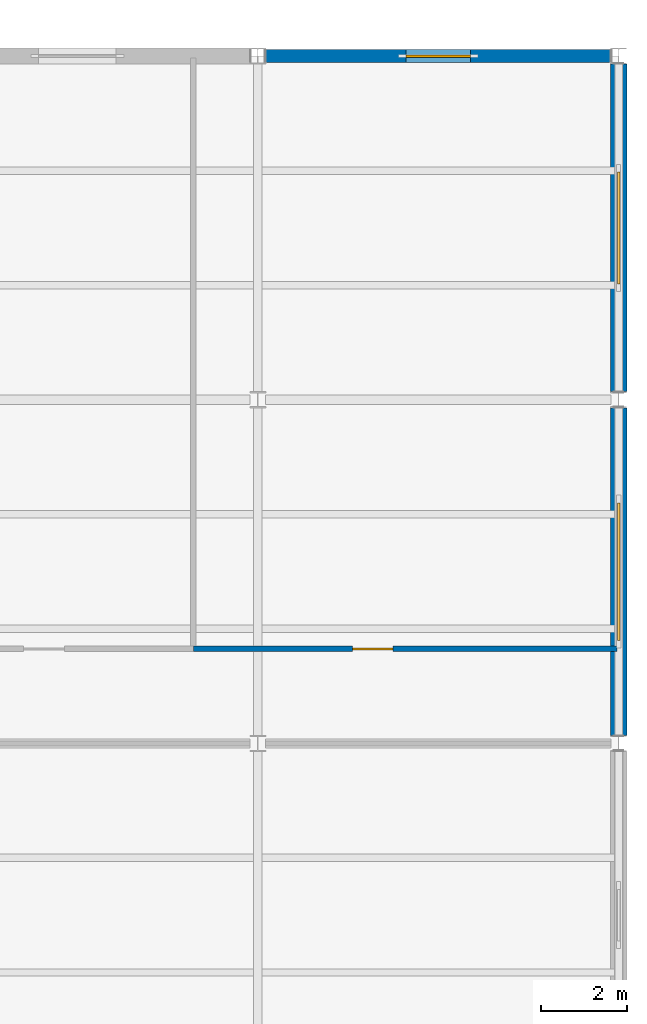
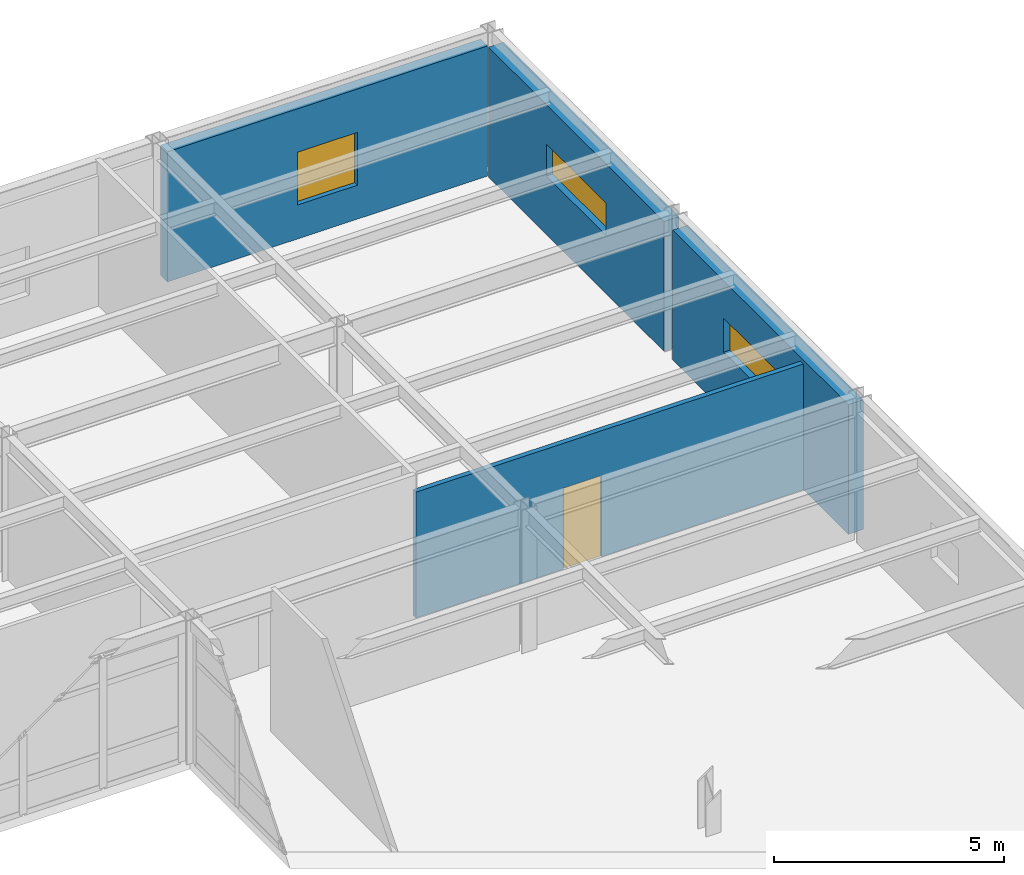
# One storey, part 79 of 138: 4 walls, 3 windows, 1 door, 4 openings.
"""IFC4 building model written with IfcOpenShell, lengths in metres."""

from ifc_helpers import new_model, si_unit, direction, frame, frame_2d, origin, place, context, subcontext, project, spatial, rectangle, extrude, material, layer, layer_set, type_object, element, fill, save


model = new_model("IFC4")

# Units and contexts
model_context = context("Model", 3, precision=1e-05, world=origin(), true_north=direction((0.0, 1.0)))
body_context = subcontext(model_context, "Body", "Model", "MODEL_VIEW")
ifc_project = project(units=[si_unit("LENGTHUNIT", "METRE"), si_unit("AREAUNIT", "SQUARE_METRE"), si_unit("VOLUMEUNIT", "CUBIC_METRE"), si_unit("PLANEANGLEUNIT", "RADIAN"), si_unit("MASSUNIT", "GRAM", prefix="KILO")], contexts=[model_context])

# Site, building, storey
site_placement = place(None, origin())
site = spatial("IfcSite", under=ifc_project, at=site_placement, CompositionType="ELEMENT")
building_placement = place(site_placement, origin())
building = spatial("IfcBuilding", under=site, at=building_placement, Name="Kranzveld Transit Interchange", CompositionType="ELEMENT")
storey_placement = place(building_placement, frame((0.0, 0.0, 5.43994140625)))
storey = spatial("IfcBuildingStorey", under=building, at=storey_placement, Name="L01", CompositionType="ELEMENT", Elevation=5.43994140625)

# Wall, opening, window
ifc_material_1 = material(Name="Pretoria red-purple clinker clay face brick, 35 MPa", Category="masonry")
ifc_layer_1 = layer(ifc_material_1, 0.3798828125)
ifc_layer_set_1 = layer_set([ifc_layer_1], Name="Pretoria red-purple clinker clay face brick, 35 MPa")
wall_type_1 = type_object("IfcWallType", Name="Exterior Cavity Wall Red Clinker 380", PredefinedType="SOLIDWALL", material=ifc_layer_set_1)
wall_1_placement = place(storey_placement, frame((168.0, 96.187255859375, 0.0), z_axis=(0.0, 0.0, 1.0), x_axis=(0.0, 1.0, 0.0)))
wall_1 = element("IfcWall", 1, at=wall_1_placement, inside=storey, type_object=wall_type_1, Name="L01 Clinker Facade Wall 21/N-21/P", PredefinedType="SOLIDWALL", context=body_context, shape_type="SweptSolid", body=[
    extrude(rectangle(XDim=7.62548828125, YDim=0.3798828125, at=frame_2d((3.812744140625, 0.0))), origin(), (0.0, 0.0, 1.0), 3.442138671875),
])
opening_1_placement = place(wall_1_placement, frame((2.212646484375, 0.0, 1.550048828125), z_axis=(0.0, 0.0, 1.0), x_axis=(1.0, 0.0, 0.0)))
opening_1 = element("IfcOpeningElement", 2, at=opening_1_placement, cuts=wall_1, Name="Opening W-14", PredefinedType="OPENING", context=body_context, shape_type="SweptSolid", body=[
    extrude(rectangle(XDim=3.199951171875, YDim=0.89990234375, at=frame_2d((1.60009765625, 0.449951171875))), frame((0.0, 0.199951171875, 0.0), z_axis=(0.0, -1.0, 0.0), x_axis=(1.0, 0.0, 0.0)), (0.0, 0.0, 1.0), 0.39990234375),
])
ifc_material_2 = material(Name="Solar-control double glazing", Category="glass")
window_type_1 = type_object("IfcWindowType", Name="Window Clerestory 3200x900", PartitioningType="TRIPLE_PANEL_HORIZONTAL", PredefinedType="WINDOW", material=ifc_material_2)
window_1_placement = place(opening_1_placement, origin())
window_1 = element("IfcWindow", 3, at=window_1_placement, inside=storey, type_object=window_type_1, Name="L01 Facade Window 21/N", OverallHeight=0.89990234375, OverallWidth=3.199951171875, PartitioningType="TRIPLE_PANEL_HORIZONTAL", PredefinedType="WINDOW", context=body_context, shape_type="SweptSolid", body=[
    extrude(rectangle(XDim=3.199951171875, YDim=0.89990234375, at=frame_2d((1.60009765625, 0.449951171875))), frame((0.0, 0.030029296875, 0.0), z_axis=(0.0, -1.0, 0.0), x_axis=(1.0, 0.0, 0.0)), (0.0, 0.0, 1.0), 0.06005859375),
])
fill(opening_1, window_1)

wall_2_placement = place(storey_placement, frame((168.0, 104.187255859375, 0.0), z_axis=(0.0, 0.0, 1.0), x_axis=(0.0, 1.0, 0.0)))
wall_2 = element("IfcWall", 4, at=wall_2_placement, inside=storey, type_object=wall_type_1, Name="L01 Clinker Facade Wall 21/P-21/Q", PredefinedType="SOLIDWALL", context=body_context, shape_type="SweptSolid", body=[
    extrude(rectangle(XDim=7.62548828125, YDim=0.3798828125, at=frame_2d((3.812744140625, 0.0))), origin(), (0.0, 0.0, 1.0), 3.442138671875),
])
opening_2_placement = place(wall_2_placement, frame((2.5126953125, 0.0, 1.550048828125), z_axis=(0.0, 0.0, 1.0), x_axis=(1.0, 0.0, 0.0)))
opening_2 = element("IfcOpeningElement", 5, at=opening_2_placement, cuts=wall_2, Name="Opening W-15", PredefinedType="OPENING", context=body_context, shape_type="SweptSolid", body=[
    extrude(rectangle(XDim=2.60009765625, YDim=0.85009765625, at=frame_2d((1.300048828125, 0.425048828125))), frame((0.0, 0.199951171875, 0.0), z_axis=(0.0, -1.0, 0.0), x_axis=(1.0, 0.0, 0.0)), (0.0, 0.0, 1.0), 0.39990234375),
])
ifc_material_3 = material(Name="Solar-control double glazing", Category="glass")
window_type_2 = type_object("IfcWindowType", Name="Window Clerestory 2600x850", PartitioningType="DOUBLE_PANEL_HORIZONTAL", PredefinedType="WINDOW", material=ifc_material_3)
window_2_placement = place(opening_2_placement, origin())
window_2 = element("IfcWindow", 6, at=window_2_placement, inside=storey, type_object=window_type_2, Name="L01 Facade Window 21/P", OverallHeight=0.85009765625, OverallWidth=2.60009765625, PartitioningType="DOUBLE_PANEL_HORIZONTAL", PredefinedType="WINDOW", context=body_context, shape_type="SweptSolid", body=[
    extrude(rectangle(XDim=2.60009765625, YDim=0.85009765625, at=frame_2d((1.300048828125, 0.425048828125))), frame((0.0, 0.030029296875, 0.0), z_axis=(0.0, -1.0, 0.0), x_axis=(1.0, 0.0, 0.0)), (0.0, 0.0, 1.0), 0.06005859375),
])
fill(opening_2, window_2)

ifc_material_4 = material(Name="Ochre Pretoria sandstone cladding, 45 MPa", Category="masonry")
ifc_layer_2 = layer(ifc_material_4, 0.300048828125)
ifc_layer_set_2 = layer_set([ifc_layer_2], Name="Ochre Pretoria sandstone cladding, 45 MPa")
wall_type_2 = type_object("IfcWallType", Name="Exterior Sandstone Spandrel Wall 300", PredefinedType="SOLIDWALL", material=ifc_layer_set_2)
wall_3_placement = place(storey_placement, frame((159.787353515625, 112.0, 0.0), z_axis=(0.0, 0.0, 1.0), x_axis=(1.0, 0.0, 0.0)))
wall_3 = element("IfcWall", 7, at=wall_3_placement, inside=storey, type_object=wall_type_2, Name="L01 Clinker Facade Wall 20/Q-21/Q", PredefinedType="SOLIDWALL", context=body_context, shape_type="SweptSolid", body=[
    extrude(rectangle(XDim=8.025390625, YDim=0.300048828125, at=frame_2d((4.0126953125, 0.0))), origin(), (0.0, 0.0, 1.0), 3.449951171875),
])
opening_3_placement = place(wall_3_placement, frame((3.2626953125, 0.0, 0.89990234375), z_axis=(0.0, 0.0, 1.0), x_axis=(1.0, 0.0, 0.0)))
opening_3 = element("IfcOpeningElement", 8, at=opening_3_placement, cuts=wall_3, Name="Opening W-13", PredefinedType="OPENING", context=body_context, shape_type="SweptSolid", body=[
    extrude(rectangle(XDim=1.5, YDim=1.39990234375, at=frame_2d((0.75, 0.699951171875))), frame((0.0, 0.159912109375, 0.0), z_axis=(0.0, -1.0, 0.0), x_axis=(1.0, 0.0, 0.0)), (0.0, 0.0, 1.0), 0.320068359375),
])
ifc_material_5 = material(Name="Solar-control double glazing", Category="glass")
window_type_3 = type_object("IfcWindowType", Name="Window Studio Single 1500x1400", PartitioningType="SINGLE_PANEL", PredefinedType="WINDOW", material=ifc_material_5)
window_3_placement = place(opening_3_placement, origin())
window_3 = element("IfcWindow", 9, at=window_3_placement, inside=storey, type_object=window_type_3, Name="L01 Facade Window 20/Q", OverallHeight=1.39990234375, OverallWidth=1.5, PartitioningType="SINGLE_PANEL", PredefinedType="WINDOW", context=body_context, shape_type="SweptSolid", body=[
    extrude(rectangle(XDim=1.5, YDim=1.39990234375, at=frame_2d((0.75, 0.699951171875))), frame((0.0, 0.030029296875, 0.0), z_axis=(0.0, -1.0, 0.0), x_axis=(1.0, 0.0, 0.0)), (0.0, 0.0, 1.0), 0.06005859375),
])
fill(opening_3, window_3)

# Wall, opening, door
ifc_material_6 = material(Name="Clay masonry unit wall, 20 MPa", Category="masonry")
ifc_layer_3 = layer(ifc_material_6, 0.125)
ifc_layer_set_3 = layer_set([ifc_layer_3], Name="Clay masonry unit wall, 20 MPa")
wall_type_3 = type_object("IfcWallType", Name="Internal Blockwork Partition 125", PredefinedType="PARTITIONING", material=ifc_layer_set_3)
wall_4_placement = place(storey_placement, frame((158.10009765625, 98.199951171875, 0.0), z_axis=(0.0, 0.0, 1.0), x_axis=(1.0, 0.0, 0.0)))
wall_4 = element("IfcWall", 10, at=wall_4_placement, inside=storey, type_object=wall_type_3, Name="L01 Partition IW-L01-L01V4NE-FRT-140-0", PredefinedType="PARTITIONING", context=body_context, shape_type="SweptSolid", body=[
    extrude(rectangle(XDim=9.85986328125, YDim=0.125, at=frame_2d((4.929931640625, 0.0))), origin(), (0.0, 0.0, 1.0), 3.336669921875),
])
opening_4_placement = place(wall_4_placement, frame((3.699951171875, 0.0, 0.0), z_axis=(0.0, 0.0, 1.0), x_axis=(1.0, 0.0, 0.0)))
opening_4 = element("IfcOpeningElement", 11, at=opening_4_placement, cuts=wall_4, Name="Opening D-140", PredefinedType="OPENING", context=body_context, shape_type="SweptSolid", body=[
    extrude(rectangle(XDim=0.949951171875, YDim=2.14990234375, at=frame_2d((0.47509765625, 1.074951171875))), frame((0.0, 0.072509765625, 0.0), z_axis=(0.0, -1.0, 0.0), x_axis=(1.0, 0.0, 0.0)), (0.0, 0.0, 1.0), 0.14501953125),
])
ifc_material_7 = material(Name="Bronze-anodised thermally broken aluminium", Category="aluminium")
door_type = type_object("IfcDoorType", Name="Internal Office Door 950x2150", OperationType="NOTDEFINED", PredefinedType="DOOR", material=ifc_material_7)
door_placement = place(opening_4_placement, origin())
door = element("IfcDoor", 12, at=door_placement, inside=storey, type_object=door_type, Name="L01 Interior Door D-140", OperationType="SINGLE_SWING_RIGHT", OverallHeight=2.14990234375, OverallWidth=0.949951171875, PredefinedType="DOOR", context=body_context, shape_type="SweptSolid", body=[
    extrude(rectangle(XDim=0.949951171875, YDim=2.14990234375, at=frame_2d((0.47509765625, 1.074951171875))), frame((0.0, 0.02490234375, 0.0), z_axis=(0.0, -1.0, 0.0), x_axis=(1.0, 0.0, 0.0)), (0.0, 0.0, 1.0), 0.050048828125),
])
fill(opening_4, door)

save(model, "model.ifc")
